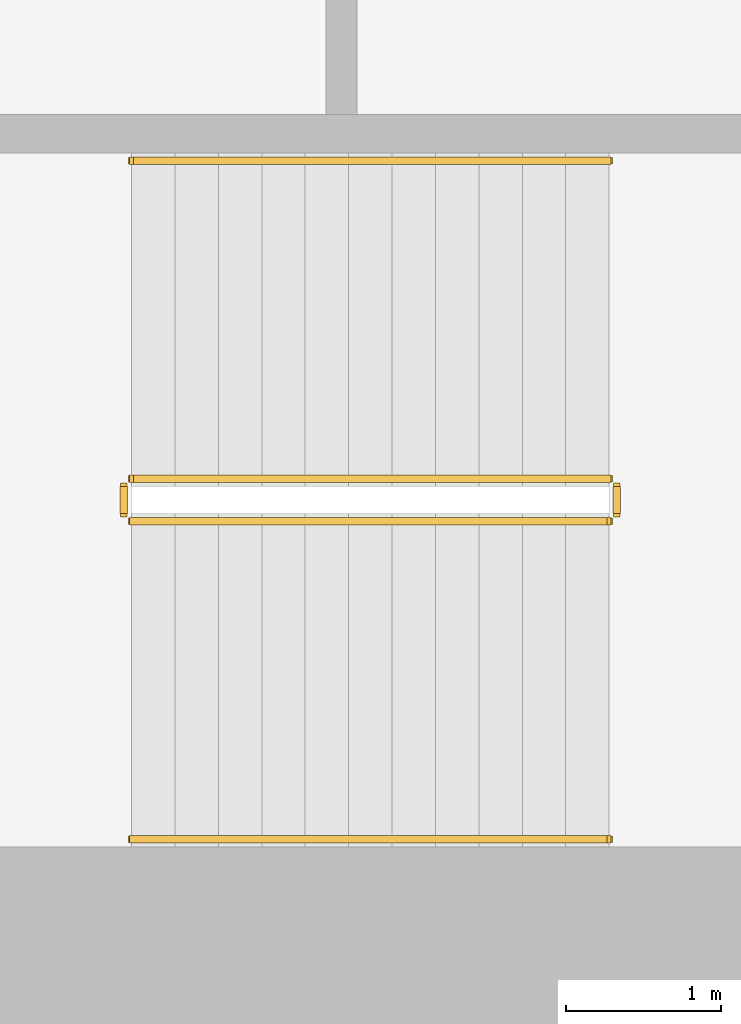
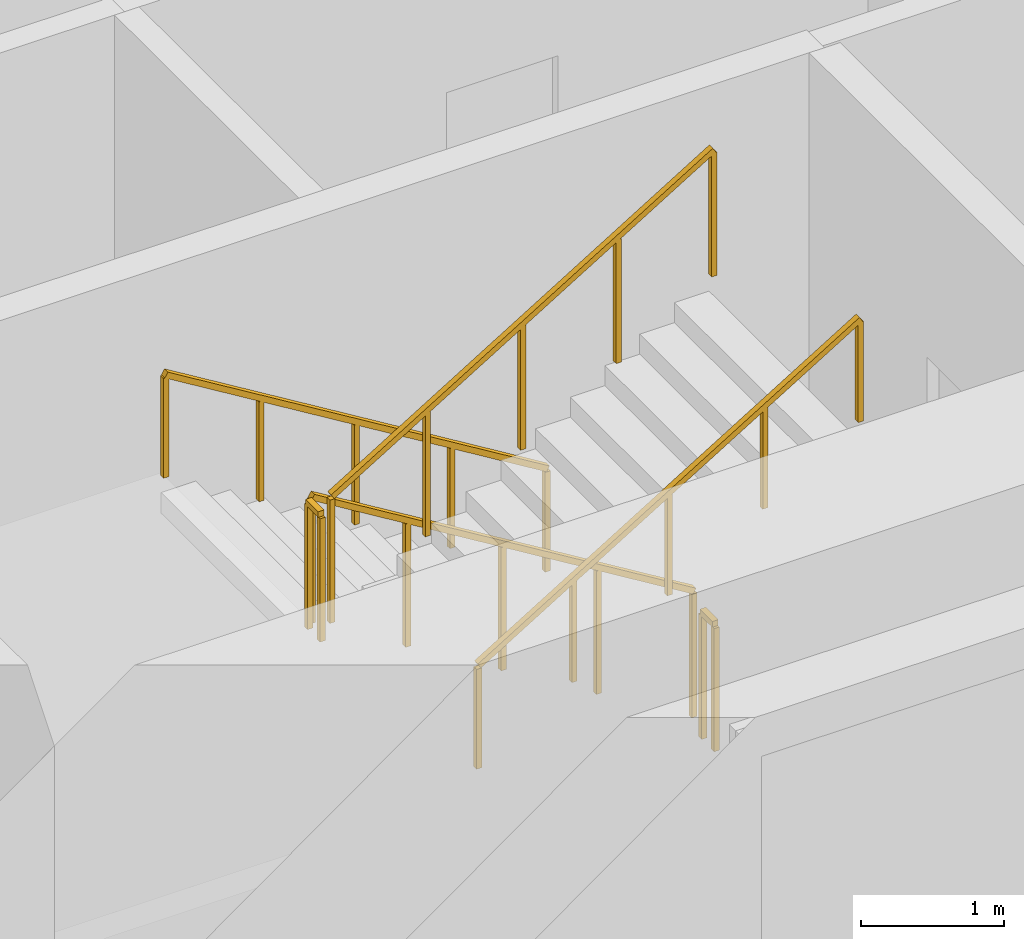
# One storey, part 9 of 13: 6 railings.
"""IFC4 building model written with IfcOpenShell, lengths in metres."""

import ifcopenshell
import ifcopenshell.guid

model = None  # the IFC model being written
_history = None  # IfcOwnerHistory: only IFC2X3 demands one
_inside = {}  # id of a spatial element -> (the spatial element, [elements in it])
_under = {}  # id of a project, library or spatial element -> (it, [spatial elements below it])
_declared = {}  # id of a project -> (the project, [libraries it declares])
_typed = {}  # id of a type object -> (the type object, [elements of that type])
_made_of = {}  # id of a material, layer set ... -> (it, [elements and type objects made of it])


def new_model(schema):
    """Start an empty IFC model of exactly this schema.

    Asked for "IFC4X3", IfcOpenShell would pick the latest addendum, in which some entities
    have other attributes; the version numbers below select the first issue.
    IFC2X3 requires an IfcOwnerHistory on every rooted entity: one is made here for all.
    """
    global model, _history
    if schema == "IFC4X3":
        model = ifcopenshell.file(schema_version=(4, 3, 0, 0))
    else:
        model = ifcopenshell.file(schema=schema)
    _inside.clear()
    _under.clear()
    _declared.clear()
    _typed.clear()
    _made_of.clear()
    _history = None
    if model.schema == "IFC2X3":
        org = make("IfcOrganization", Name="unknown")
        user = make(
            "IfcPersonAndOrganization",
            ThePerson=make("IfcPerson", FamilyName="unknown"),
            TheOrganization=org,
        )
        app = make(
            "IfcApplication",
            ApplicationDeveloper=org,
            Version="unknown",
            ApplicationFullName="unknown",
            ApplicationIdentifier="unknown",
        )
        _history = make(
            "IfcOwnerHistory",
            OwningUser=user,
            OwningApplication=app,
            ChangeAction="ADDED",
            CreationDate=0,
        )
    return model


def make(cls, **values):
    """One entity of the class cls with the attributes given. An attribute that is None is left unset."""
    return model.create_entity(
        cls, **{name: value for name, value in values.items() if value is not None}
    )


def rooted(cls, **values):
    """An entity with a GlobalId (a new one), such as an element, a storey or a relation."""
    return make(cls, GlobalId=ifcopenshell.guid.new(), OwnerHistory=_history, **values)


def si_unit(unit_type, name, prefix=None):
    """IfcSIUnit, for example si_unit("LENGTHUNIT", "METRE", prefix="MILLI")."""
    return make("IfcSIUnit", UnitType=unit_type, Prefix=prefix, Name=name)


def assignment(units):
    """IfcUnitAssignment: the units of a project."""
    return None if units is None else make("IfcUnitAssignment", Units=units)


def point(xyz):
    """IfcCartesianPoint."""
    return None if xyz is None else make("IfcCartesianPoint", Coordinates=xyz)


def direction(xyz):
    """IfcDirection."""
    return None if xyz is None else make("IfcDirection", DirectionRatios=xyz)


def frame(location, z_axis=None, x_axis=None):
    """IfcAxis2Placement3D, a coordinate frame: its origin and axes. An axis left out is left unset."""
    return make(
        "IfcAxis2Placement3D",
        Location=point(location),
        Axis=direction(z_axis),
        RefDirection=direction(x_axis),
    )


def frame_2d(location, x_axis=None):
    """IfcAxis2Placement2D, a coordinate frame in the plane: its origin and x axis."""
    return make(
        "IfcAxis2Placement2D", Location=point(location), RefDirection=direction(x_axis)
    )


def origin():
    """The frame at (0, 0, 0) with its axes left unset."""
    return frame((0.0, 0.0, 0.0))


def origin_2d():
    """The frame at (0, 0) in the plane with its x axis left unset."""
    return frame_2d((0.0, 0.0))


def place(relative_to, where):
    """IfcLocalPlacement: puts the frame where relative to a parent placement (None: the world)."""
    return make(
        "IfcLocalPlacement", PlacementRelTo=relative_to, RelativePlacement=where
    )


def context(
    kind, dimensions, precision=None, world=None, true_north=None, identifier=None
):
    """IfcGeometricRepresentationContext, for example the 3D "Model" context."""
    return make(
        "IfcGeometricRepresentationContext",
        ContextIdentifier=identifier,
        ContextType=kind,
        CoordinateSpaceDimension=dimensions,
        Precision=precision,
        WorldCoordinateSystem=world,
        TrueNorth=true_north,
    )


def subcontext(parent, identifier, kind, view, scale=None):
    """IfcGeometricRepresentationSubContext, for example "Body" below "Model"."""
    return make(
        "IfcGeometricRepresentationSubContext",
        ContextIdentifier=identifier,
        ContextType=kind,
        ParentContext=parent,
        TargetScale=scale,
        TargetView=view,
    )


def project(units=None, contexts=None):
    """IfcProject with its units and contexts."""
    return rooted(
        "IfcProject",
        Name="project",
        RepresentationContexts=contexts,
        UnitsInContext=assignment(units),
    )


def spatial(cls, under=None, at=None, **own):
    """A site, building, storey or space (cls), placed at a placement, below another one or the project."""
    s = rooted(cls, ObjectPlacement=at, **own)
    if under is not None:
        _under.setdefault(under.id(), (under, []))[1].append(s)
    return s


def profile(cls, at=None, kind="AREA", **sizes):
    """A parametric profile (cls). Its sizes go by their IFC names, for example OverallWidth=200.0."""
    return make(cls, ProfileType=kind, Position=at, **sizes)


def rectangle(**sizes):
    """IfcRectangleProfileDef."""
    return profile("IfcRectangleProfileDef", **sizes)


def extrude(swept, where, along, depth):
    """IfcExtrudedAreaSolid: the profile swept, set in the frame where, extruded along a direction by depth."""
    return make(
        "IfcExtrudedAreaSolid",
        SweptArea=swept,
        Position=where,
        ExtrudedDirection=direction(along),
        Depth=depth,
    )


def shape(context_of_items, identifier, shape_type, items):
    """IfcShapeRepresentation: the items that make up one representation, for example the "Body"."""
    return make(
        "IfcShapeRepresentation",
        ContextOfItems=context_of_items,
        RepresentationIdentifier=identifier,
        RepresentationType=shape_type,
        Items=items,
    )


def material(Name=None, Category=None):
    """IfcMaterial."""
    return make("IfcMaterial", Name=Name, Category=Category)


def made_of(thing, what):
    """Note that an element or type object is made of a material, layer set ...; save() writes the relation."""
    if what is not None:
        _made_of.setdefault(what.id(), (what, []))[1].append(thing)
    return thing


def type_object(cls, material=None, **own):
    """A type object (cls), such as IfcWallType, which elements share."""
    return made_of(rooted(cls, **own), material)


def element(
    cls,
    number,
    at=None,
    inside=None,
    cuts=None,
    type_object=None,
    material=None,
    context=None,
    identifier="Body",
    shape_type=None,
    held_by="IfcProductDefinitionShape",
    body=None,
    shapes=None,
    **own,
):
    """One element of the class cls, such as IfcWall. Its Tag is "e" and its number.

    at: its placement. inside: the storey or other place that contains it. cuts: it is an
    opening in that element (IfcRelVoidsElement). A single representation is given by context,
    identifier, shape_type and body (its items); several are given by shapes. held_by: the class
    of the entity that holds the representations. save() writes the other relations.
    """
    e = rooted(cls, Tag="e%d" % number, ObjectPlacement=at, **own)
    if body is not None:
        shapes = [shape(context, identifier, shape_type, body)]
    if shapes is not None:
        e.Representation = make(held_by, Representations=shapes)
    if inside is not None:
        _inside.setdefault(inside.id(), (inside, []))[1].append(e)
    if cuts is not None:
        rooted(
            "IfcRelVoidsElement", RelatingBuildingElement=cuts, RelatedOpeningElement=e
        )
    if type_object is not None:
        _typed.setdefault(type_object.id(), (type_object, []))[1].append(e)
    return made_of(e, material)


def aggregate(whole, parts):
    """IfcRelAggregates: a whole, such as a stair, and the parts it consists of."""
    return rooted("IfcRelAggregates", RelatingObject=whole, RelatedObjects=parts)


def save(model, path):
    """Write the relations noted so far, then the file.

    IfcRelAggregates (storeys below a building ...), IfcRelContainedInSpatialStructure (elements
    in a storey), IfcRelDefinesByType, IfcRelAssociatesMaterial and IfcRelDeclares: one each for
    every whole, place, type object, material and project.
    """
    for whole, parts in _under.values():
        aggregate(whole, parts)
    for where, things in _inside.values():
        rooted(
            "IfcRelContainedInSpatialStructure",
            RelatedElements=things,
            RelatingStructure=where,
        )
    for kind, things in _typed.values():
        rooted("IfcRelDefinesByType", RelatedObjects=things, RelatingType=kind)
    for what, things in _made_of.values():
        rooted("IfcRelAssociatesMaterial", RelatedObjects=things, RelatingMaterial=what)
    for by, libraries in _declared.values():
        rooted("IfcRelDeclares", RelatingContext=by, RelatedDefinitions=libraries)
    model.write(path)


model = new_model("IFC4")

# Units and contexts
model_context = context("Model", 3, precision=1e-05, world=origin(), true_north=direction((0.0, 1.0)))
body_context = subcontext(model_context, "Body", "Model", "MODEL_VIEW")
ifc_project = project(units=[si_unit("LENGTHUNIT", "METRE"), si_unit("AREAUNIT", "SQUARE_METRE"), si_unit("VOLUMEUNIT", "CUBIC_METRE"), si_unit("PLANEANGLEUNIT", "RADIAN"), si_unit("MASSUNIT", "GRAM", prefix="KILO")], contexts=[model_context])

# Site, building, storey
site_placement = place(None, origin())
site = spatial("IfcSite", under=ifc_project, at=site_placement, CompositionType="ELEMENT")
building_placement = place(site_placement, origin())
building = spatial("IfcBuilding", under=site, at=building_placement, Name="Cypress Arch Tower", CompositionType="ELEMENT")
storey_placement = place(building_placement, frame((0.0, 0.0, 189.199951171875)))
storey = spatial("IfcBuildingStorey", under=building, at=storey_placement, Name="L41", CompositionType="ELEMENT", Elevation=189.199951171875)

# Railings
ifc_material_1 = material(Name="Black powder-coated steel square bar 48 mm", Category="steel")
railing_type_1 = type_object("IfcRailingType", Name="Stair handrail HR1", PredefinedType="HANDRAIL", material=ifc_material_1)
railing_1_placement = place(storey_placement, frame((-22.27490234375, -10.375, 0.1708984375)))
element("IfcRailing", 1, at=railing_1_placement, inside=storey, type_object=railing_type_1, Name="L41 A stair handrail 1", PredefinedType="HANDRAIL", context=body_context, shape_type="SweptSolid", body=[
    extrude(rectangle(XDim=0.048095703125, YDim=0.048095703125, at=origin_2d()), frame((0.0, 0.0, 0.8759765625), z_axis=(-0.853666305674, 0.0, 0.52082035152), x_axis=(0.0, -1.0, 0.0)), (0.0, 0.0, 1.0), 3.608154296875),
    extrude(rectangle(XDim=0.0419921875, YDim=0.0419921875, at=origin_2d()), origin(), (0.0, 0.0, 1.0), 0.851806640625),
    extrude(rectangle(XDim=0.0419921875, YDim=0.0419921875, at=origin_2d()), frame((-0.77001953125, 0.0, 0.4697265625)), (0.0, 0.0, 1.0), 0.851806640625),
    extrude(rectangle(XDim=0.0419921875, YDim=0.0419921875, at=origin_2d()), frame((-1.5400390625, 0.0, 0.939453125)), (0.0, 0.0, 1.0), 0.851806640625),
    extrude(rectangle(XDim=0.0419921875, YDim=0.0419921875, at=origin_2d()), frame((-2.31005859375, 0.0, 1.409423828125)), (0.0, 0.0, 1.0), 0.851806640625),
    extrude(rectangle(XDim=0.0419921875, YDim=0.0419921875, at=origin_2d()), frame((-3.080078125, 0.0, 1.879150390625)), (0.0, 0.0, 1.0), 0.851806640625),
])
railing_2_placement = place(storey_placement, frame((-25.35498046875, -14.75, 2.220947265625)))
element("IfcRailing", 2, at=railing_2_placement, inside=storey, type_object=railing_type_1, Name="L41 A stair handrail 2", PredefinedType="HANDRAIL", context=body_context, shape_type="SweptSolid", body=[
    extrude(rectangle(XDim=0.048095703125, YDim=0.048095703125, at=origin_2d()), frame((0.0, 0.0, 0.8759765625), z_axis=(0.853666305674, 0.0, 0.52082035152), x_axis=(0.0, 1.0, 0.0)), (0.0, 0.0, 1.0), 3.608154296875),
    extrude(rectangle(XDim=0.0419921875, YDim=0.0419921875, at=origin_2d()), origin(), (0.0, 0.0, 1.0), 0.851806640625),
    extrude(rectangle(XDim=0.0419921875, YDim=0.0419921875, at=origin_2d()), frame((0.77001953125, 0.0, 0.4697265625)), (0.0, 0.0, 1.0), 0.851806640625),
    extrude(rectangle(XDim=0.0419921875, YDim=0.0419921875, at=origin_2d()), frame((1.5400390625, 0.0, 0.939453125)), (0.0, 0.0, 1.0), 0.851806640625),
    extrude(rectangle(XDim=0.0419921875, YDim=0.0419921875, at=origin_2d()), frame((2.31005859375, 0.0, 1.409423828125)), (0.0, 0.0, 1.0), 0.851806640625),
    extrude(rectangle(XDim=0.0419921875, YDim=0.0419921875, at=origin_2d()), frame((3.080078125, 0.0, 1.879150390625)), (0.0, 0.0, 1.0), 0.851806640625),
])
ifc_material_2 = material(Name="Black powder-coated steel balusters", Category="steel")
railing_type_2 = type_object("IfcRailingType", Name="Stair well guard G1", PredefinedType="GUARDRAIL", material=ifc_material_2)
railing_3_placement = place(storey_placement, frame((-22.27490234375, -12.425048828125, 0.1708984375)))
element("IfcRailing", 3, at=railing_3_placement, inside=storey, type_object=railing_type_2, Name="L41 A stair guard 1", PredefinedType="GUARDRAIL", context=body_context, shape_type="SweptSolid", body=[
    extrude(rectangle(XDim=0.048095703125, YDim=0.048095703125, at=origin_2d()), frame((0.0, 0.0, 1.076171875), z_axis=(-0.853666305674, 0.0, 0.52082035152), x_axis=(0.0, -1.0, 0.0)), (0.0, 0.0, 1.0), 3.608154296875),
    extrude(rectangle(XDim=0.0419921875, YDim=0.0419921875, at=origin_2d()), origin(), (0.0, 0.0, 1.0), 1.052001953125),
    extrude(rectangle(XDim=0.0419921875, YDim=0.0419921875, at=origin_2d()), frame((-0.77001953125, 0.0, 0.4697265625)), (0.0, 0.0, 1.0), 1.052001953125),
    extrude(rectangle(XDim=0.0419921875, YDim=0.0419921875, at=origin_2d()), frame((-1.5400390625, 0.0, 0.939453125)), (0.0, 0.0, 1.0), 1.052001953125),
    extrude(rectangle(XDim=0.0419921875, YDim=0.0419921875, at=origin_2d()), frame((-2.31005859375, 0.0, 1.409423828125)), (0.0, 0.0, 1.0), 1.052001953125),
    extrude(rectangle(XDim=0.0419921875, YDim=0.0419921875, at=origin_2d()), frame((-3.080078125, 0.0, 1.879150390625)), (0.0, 0.0, 1.0), 1.052001953125),
])
railing_4_placement = place(storey_placement, frame((-25.405029296875, -12.47509765625, 2.050048828125)))
element("IfcRailing", 4, at=railing_4_placement, inside=storey, type_object=railing_type_2, Name="L41 A stair guard 2", PredefinedType="GUARDRAIL", context=body_context, shape_type="SweptSolid", body=[
    extrude(rectangle(XDim=0.048095703125, YDim=0.048095703125, at=origin_2d()), frame((0.0, 0.0, 1.076171875), z_axis=(0.0, -1.0, 0.0), x_axis=(1.0, 0.0, 0.0)), (0.0, 0.0, 1.0), 0.1748046875),
    extrude(rectangle(XDim=0.0419921875, YDim=0.0419921875, at=origin_2d()), origin(), (0.0, 0.0, 1.0), 1.052001953125),
    extrude(rectangle(XDim=0.0419921875, YDim=0.0419921875, at=origin_2d()), frame((0.0, -0.1748046875, 0.0)), (0.0, 0.0, 1.0), 1.052001953125),
])
railing_5_placement = place(storey_placement, frame((-25.35498046875, -12.699951171875, 2.220947265625)))
element("IfcRailing", 5, at=railing_5_placement, inside=storey, type_object=railing_type_2, Name="L41 A stair guard 3", PredefinedType="GUARDRAIL", context=body_context, shape_type="SweptSolid", body=[
    extrude(rectangle(XDim=0.048095703125, YDim=0.048095703125, at=origin_2d()), frame((0.0, 0.0, 1.076171875), z_axis=(0.853666305674, 0.0, 0.52082035152), x_axis=(0.0, 1.0, 0.0)), (0.0, 0.0, 1.0), 3.608154296875),
    extrude(rectangle(XDim=0.0419921875, YDim=0.0419921875, at=origin_2d()), origin(), (0.0, 0.0, 1.0), 1.052001953125),
    extrude(rectangle(XDim=0.0419921875, YDim=0.0419921875, at=origin_2d()), frame((0.77001953125, 0.0, 0.4697265625)), (0.0, 0.0, 1.0), 1.052001953125),
    extrude(rectangle(XDim=0.0419921875, YDim=0.0419921875, at=origin_2d()), frame((1.5400390625, 0.0, 0.939453125)), (0.0, 0.0, 1.0), 1.052001953125),
    extrude(rectangle(XDim=0.0419921875, YDim=0.0419921875, at=origin_2d()), frame((2.31005859375, 0.0, 1.409423828125)), (0.0, 0.0, 1.0), 1.052001953125),
    extrude(rectangle(XDim=0.0419921875, YDim=0.0419921875, at=origin_2d()), frame((3.080078125, 0.0, 1.879150390625)), (0.0, 0.0, 1.0), 1.052001953125),
])
railing_6_placement = place(storey_placement, frame((-22.22509765625, -12.47509765625, 0.0)))
element("IfcRailing", 6, at=railing_6_placement, inside=storey, type_object=railing_type_2, Name="L41 A stair guard 4", PredefinedType="GUARDRAIL", context=body_context, shape_type="SweptSolid", body=[
    extrude(rectangle(XDim=0.048095703125, YDim=0.048095703125, at=origin_2d()), frame((0.0, 0.0, 1.076171875), z_axis=(0.0, -1.0, 0.0), x_axis=(1.0, 0.0, 0.0)), (0.0, 0.0, 1.0), 0.1748046875),
    extrude(rectangle(XDim=0.0419921875, YDim=0.0419921875, at=origin_2d()), origin(), (0.0, 0.0, 1.0), 1.052001953125),
    extrude(rectangle(XDim=0.0419921875, YDim=0.0419921875, at=origin_2d()), frame((0.0, -0.1748046875, 0.0)), (0.0, 0.0, 1.0), 1.052001953125),
])

save(model, "model.ifc")
